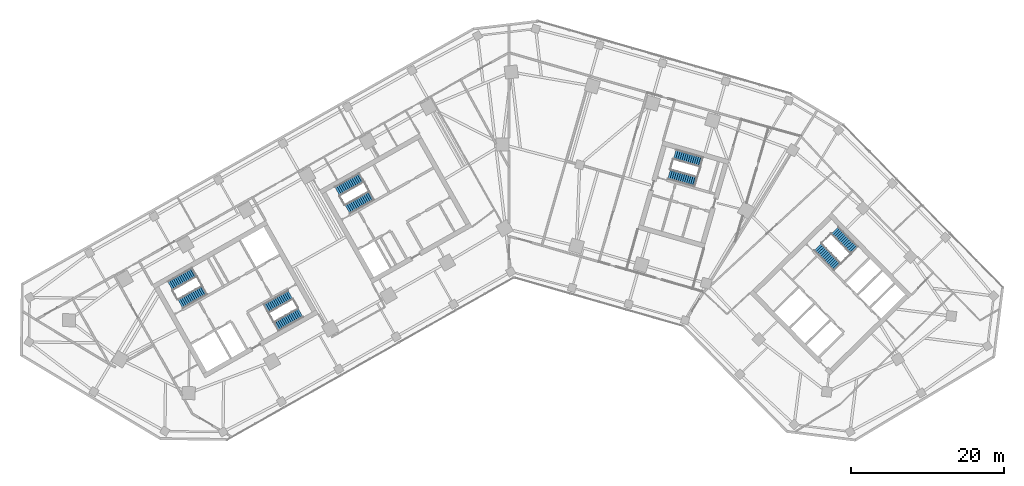
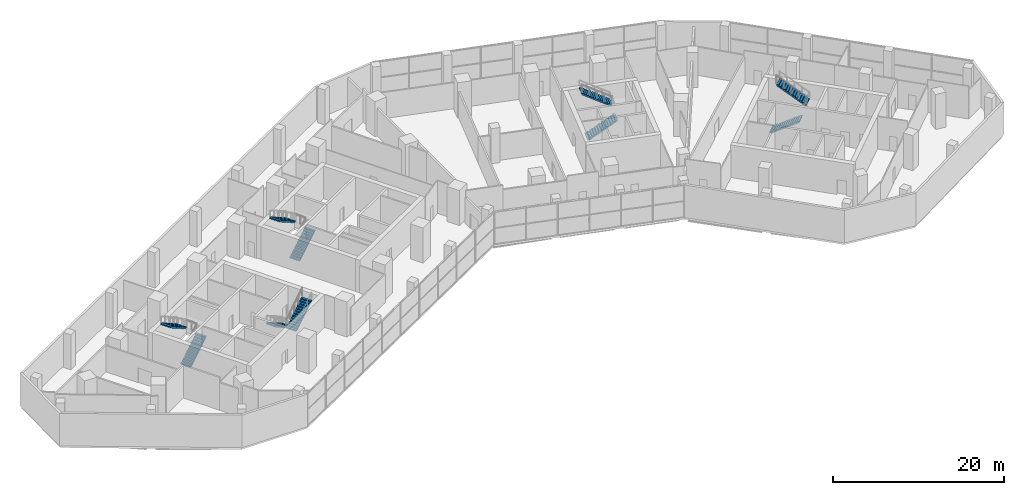
# One storey, part 16 of 18: 10 stair flights, 5 elements without a shape of their own.
"""IFC4 building model written with IfcOpenShell, lengths in metres."""

from ifc_helpers import new_model, si_unit, direction, frame, origin, place, context, subcontext, project, spatial, polyline, outline, extrude, material, type_object, element, aggregate, save


model = new_model("IFC4")

# Units and contexts
model_context = context("Model", 3, precision=1e-05, world=origin(), true_north=direction((0.0, 1.0)))
body_context = subcontext(model_context, "Body", "Model", "MODEL_VIEW")
ifc_project = project(units=[si_unit("LENGTHUNIT", "METRE"), si_unit("AREAUNIT", "SQUARE_METRE"), si_unit("VOLUMEUNIT", "CUBIC_METRE"), si_unit("PLANEANGLEUNIT", "RADIAN"), si_unit("MASSUNIT", "GRAM", prefix="KILO")], contexts=[model_context])

# Site, building, storey
site_placement = place(None, origin())
site = spatial("IfcSite", under=ifc_project, at=site_placement, CompositionType="ELEMENT")
building_placement = place(site_placement, origin())
building = spatial("IfcBuilding", under=site, at=building_placement, Name="Binnacle Exchange Tower", CompositionType="ELEMENT")
storey_placement = place(building_placement, frame((0.0, 0.0, 11.5)))
storey = spatial("IfcBuildingStorey", under=building, at=storey_placement, Name="L02", CompositionType="ELEMENT", Elevation=11.5)

# Stair, stair flights
ifc_material = material(Name="Concrete C35/45", Category="concrete")
stair_type = type_object("IfcStairType", Name="STAIR 28 RISERS 179", PredefinedType="HALF_TURN_STAIR", material=ifc_material)
stair_1_placement = place(storey_placement, origin())
stair_1 = element("IfcStair", 1, at=stair_1_placement, inside=storey, type_object=stair_type, Name="L02 Escape stair A1", PredefinedType="HALF_TURN_STAIR")
stair_flight_type = type_object("IfcStairFlightType", Name="STAIR FLIGHT 179X280", PredefinedType="STRAIGHT", material=ifc_material)
stair_flight_1_placement = place(storey_placement, frame((-42.9541015625, 39.17333984375, 0.0), z_axis=(0.0, 0.0, 1.0), x_axis=(0.870355584213, 0.492423757581, 0.0)))
stair_flight_1 = element("IfcStairFlight", 2, at=stair_flight_1_placement, type_object=stair_flight_type, Name="STA1 flight 1", NumberOfRisers=14, NumberOfTreads=13, PredefinedType="STRAIGHT", RiserHeight=0.178571429, TreadLength=0.28, context=body_context, shape_type="SweptSolid", body=[
    extrude(outline(polyline([(0.0, 0.0), (0.0, 0.178466796875), (0.280029296875, 0.178466796875), (0.280029296875, 0.357177734375), (0.56005859375, 0.357177734375), (0.56005859375, 0.53564453125), (0.840087890625, 0.53564453125), (0.840087890625, 0.71435546875), (1.1201171875, 0.71435546875), (1.1201171875, 0.892822265625), (1.39990234375, 0.892822265625), (1.39990234375, 1.071533203125), (1.679931640625, 1.071533203125), (1.679931640625, 1.25), (1.9599609375, 1.25), (1.9599609375, 1.428466796875), (2.239990234375, 1.428466796875), (2.239990234375, 1.607177734375), (2.52001953125, 1.607177734375), (2.52001953125, 1.78564453125), (2.800048828125, 1.78564453125), (2.800048828125, 1.96435546875), (3.080078125, 1.96435546875), (3.080078125, 2.142822265625), (3.360107421875, 2.142822265625), (3.360107421875, 2.321533203125), (3.639892578125, 2.321533203125), (3.639892578125, 2.5), (3.639892578125, 2.1435546875), (0.27880859375, 0.0), (0.0, 0.0)])), frame((0.0, 0.675048828125, 0.0), z_axis=(0.0, -1.0, 0.0), x_axis=(1.0, 0.0, 0.0)), (0.0, 0.0, 1.0), 1.35009765625),
])
stair_flight_2_placement = place(storey_placement, frame((-41.115478515625, 43.315673828125, 2.5), z_axis=(0.0, 0.0, 1.0), x_axis=(-0.870355584213, -0.492423757581, 0.0)))
stair_flight_2 = element("IfcStairFlight", 3, at=stair_flight_2_placement, type_object=stair_flight_type, Name="STA1 flight 2", NumberOfRisers=14, NumberOfTreads=13, PredefinedType="STRAIGHT", RiserHeight=0.178571429, TreadLength=0.28, context=body_context, shape_type="SweptSolid", body=[
    extrude(outline(polyline([(0.0, 0.0), (0.0, 0.178466796875), (0.280029296875, 0.178466796875), (0.280029296875, 0.357177734375), (0.56005859375, 0.357177734375), (0.56005859375, 0.53564453125), (0.840087890625, 0.53564453125), (0.840087890625, 0.71435546875), (1.1201171875, 0.71435546875), (1.1201171875, 0.892822265625), (1.39990234375, 0.892822265625), (1.39990234375, 1.071533203125), (1.679931640625, 1.071533203125), (1.679931640625, 1.25), (1.9599609375, 1.25), (1.9599609375, 1.428466796875), (2.239990234375, 1.428466796875), (2.239990234375, 1.607177734375), (2.52001953125, 1.607177734375), (2.52001953125, 1.78564453125), (2.800048828125, 1.78564453125), (2.800048828125, 1.96435546875), (3.080078125, 1.96435546875), (3.080078125, 2.142822265625), (3.360107421875, 2.142822265625), (3.360107421875, 2.321533203125), (3.639892578125, 2.321533203125), (3.639892578125, 2.5), (3.639892578125, 2.1435546875), (0.27880859375, 0.0), (0.0, 0.0)])), frame((0.0, 0.675048828125, 0.0), z_axis=(0.0, -1.0, 0.0), x_axis=(1.0, 0.0, 0.0)), (0.0, 0.0, 1.0), 1.35009765625),
])
aggregate(stair_1, [stair_flight_1, stair_flight_2])

stair_2_placement = place(storey_placement, origin())
stair_2 = element("IfcStair", 4, at=stair_2_placement, inside=storey, type_object=stair_type, Name="L02 Escape stair A2", PredefinedType="HALF_TURN_STAIR")
stair_flight_3_placement = place(storey_placement, frame((-28.5732421875, 40.3583984375, 0.0), z_axis=(0.0, 0.0, 1.0), x_axis=(-0.870355584213, -0.492423757581, 0.0)))
stair_flight_3 = element("IfcStairFlight", 5, at=stair_flight_3_placement, type_object=stair_flight_type, Name="STA2 flight 1", NumberOfRisers=14, NumberOfTreads=13, PredefinedType="STRAIGHT", RiserHeight=0.178571429, TreadLength=0.28, context=body_context, shape_type="SweptSolid", body=[
    extrude(outline(polyline([(0.0, 0.0), (0.0, 0.178466796875), (0.280029296875, 0.178466796875), (0.280029296875, 0.357177734375), (0.56005859375, 0.357177734375), (0.56005859375, 0.53564453125), (0.840087890625, 0.53564453125), (0.840087890625, 0.71435546875), (1.1201171875, 0.71435546875), (1.1201171875, 0.892822265625), (1.39990234375, 0.892822265625), (1.39990234375, 1.071533203125), (1.679931640625, 1.071533203125), (1.679931640625, 1.25), (1.9599609375, 1.25), (1.9599609375, 1.428466796875), (2.239990234375, 1.428466796875), (2.239990234375, 1.607177734375), (2.52001953125, 1.607177734375), (2.52001953125, 1.78564453125), (2.800048828125, 1.78564453125), (2.800048828125, 1.96435546875), (3.080078125, 1.96435546875), (3.080078125, 2.142822265625), (3.360107421875, 2.142822265625), (3.360107421875, 2.321533203125), (3.639892578125, 2.321533203125), (3.639892578125, 2.5), (3.639892578125, 2.1435546875), (0.27880859375, 0.0), (0.0, 0.0)])), frame((0.0, 0.675048828125, 0.0), z_axis=(0.0, -1.0, 0.0), x_axis=(1.0, 0.0, 0.0)), (0.0, 0.0, 1.0), 1.35009765625),
])
stair_flight_4_placement = place(storey_placement, frame((-30.411865234375, 36.216064453125, 2.5), z_axis=(0.0, 0.0, 1.0), x_axis=(0.870355584213, 0.492423757581, 0.0)))
stair_flight_4 = element("IfcStairFlight", 6, at=stair_flight_4_placement, type_object=stair_flight_type, Name="STA2 flight 2", NumberOfRisers=14, NumberOfTreads=13, PredefinedType="STRAIGHT", RiserHeight=0.178571429, TreadLength=0.28, context=body_context, shape_type="SweptSolid", body=[
    extrude(outline(polyline([(0.0, 0.0), (0.0, 0.178466796875), (0.280029296875, 0.178466796875), (0.280029296875, 0.357177734375), (0.56005859375, 0.357177734375), (0.56005859375, 0.53564453125), (0.840087890625, 0.53564453125), (0.840087890625, 0.71435546875), (1.1201171875, 0.71435546875), (1.1201171875, 0.892822265625), (1.39990234375, 0.892822265625), (1.39990234375, 1.071533203125), (1.679931640625, 1.071533203125), (1.679931640625, 1.25), (1.9599609375, 1.25), (1.9599609375, 1.428466796875), (2.239990234375, 1.428466796875), (2.239990234375, 1.607177734375), (2.52001953125, 1.607177734375), (2.52001953125, 1.78564453125), (2.800048828125, 1.78564453125), (2.800048828125, 1.96435546875), (3.080078125, 1.96435546875), (3.080078125, 2.142822265625), (3.360107421875, 2.142822265625), (3.360107421875, 2.321533203125), (3.639892578125, 2.321533203125), (3.639892578125, 2.5), (3.639892578125, 2.1435546875), (0.27880859375, 0.0), (0.0, 0.0)])), frame((0.0, 0.675048828125, 0.0), z_axis=(0.0, -1.0, 0.0), x_axis=(1.0, 0.0, 0.0)), (0.0, 0.0, 1.0), 1.35009765625),
])
aggregate(stair_2, [stair_flight_3, stair_flight_4])

stair_3_placement = place(storey_placement, origin())
stair_3 = element("IfcStair", 7, at=stair_3_placement, inside=storey, type_object=stair_type, Name="L02 Escape stair B1", PredefinedType="HALF_TURN_STAIR")
stair_flight_5_placement = place(storey_placement, frame((40.376708984375, 46.608642578125, 0.0), z_axis=(0.0, 0.0, 1.0), x_axis=(0.70090935144, -0.713250363522, 0.0)))
stair_flight_5 = element("IfcStairFlight", 8, at=stair_flight_5_placement, type_object=stair_flight_type, Name="STB1 flight 1", NumberOfRisers=14, NumberOfTreads=13, PredefinedType="STRAIGHT", RiserHeight=0.178571429, TreadLength=0.28, context=body_context, shape_type="SweptSolid", body=[
    extrude(outline(polyline([(0.0, 0.0), (0.0, 0.178466796875), (0.280029296875, 0.178466796875), (0.280029296875, 0.357177734375), (0.56005859375, 0.357177734375), (0.56005859375, 0.53564453125), (0.840087890625, 0.53564453125), (0.840087890625, 0.71435546875), (1.1201171875, 0.71435546875), (1.1201171875, 0.892822265625), (1.39990234375, 0.892822265625), (1.39990234375, 1.071533203125), (1.679931640625, 1.071533203125), (1.679931640625, 1.25), (1.9599609375, 1.25), (1.9599609375, 1.428466796875), (2.239990234375, 1.428466796875), (2.239990234375, 1.607177734375), (2.52001953125, 1.607177734375), (2.52001953125, 1.78564453125), (2.800048828125, 1.78564453125), (2.800048828125, 1.96435546875), (3.080078125, 1.96435546875), (3.080078125, 2.142822265625), (3.360107421875, 2.142822265625), (3.360107421875, 2.321533203125), (3.639892578125, 2.321533203125), (3.639892578125, 2.5), (3.639892578125, 2.1435546875), (0.27880859375, 0.0), (0.0, 0.0)])), frame((0.0, 0.675048828125, 0.0), z_axis=(0.0, -1.0, 0.0), x_axis=(1.0, 0.0, 0.0)), (0.0, 0.0, 1.0), 1.35009765625),
])
stair_flight_6_placement = place(storey_placement, frame((45.13916015625, 46.185302734375, 2.5), z_axis=(0.0, 0.0, 1.0), x_axis=(-0.70090935144, 0.713250363522, 0.0)))
stair_flight_6 = element("IfcStairFlight", 9, at=stair_flight_6_placement, type_object=stair_flight_type, Name="STB1 flight 2", NumberOfRisers=14, NumberOfTreads=13, PredefinedType="STRAIGHT", RiserHeight=0.178571429, TreadLength=0.28, context=body_context, shape_type="SweptSolid", body=[
    extrude(outline(polyline([(0.0, 0.0), (0.0, 0.178466796875), (0.280029296875, 0.178466796875), (0.280029296875, 0.357177734375), (0.56005859375, 0.357177734375), (0.56005859375, 0.53564453125), (0.840087890625, 0.53564453125), (0.840087890625, 0.71435546875), (1.1201171875, 0.71435546875), (1.1201171875, 0.892822265625), (1.39990234375, 0.892822265625), (1.39990234375, 1.071533203125), (1.679931640625, 1.071533203125), (1.679931640625, 1.25), (1.9599609375, 1.25), (1.9599609375, 1.428466796875), (2.239990234375, 1.428466796875), (2.239990234375, 1.607177734375), (2.52001953125, 1.607177734375), (2.52001953125, 1.78564453125), (2.800048828125, 1.78564453125), (2.800048828125, 1.96435546875), (3.080078125, 1.96435546875), (3.080078125, 2.142822265625), (3.360107421875, 2.142822265625), (3.360107421875, 2.321533203125), (3.639892578125, 2.321533203125), (3.639892578125, 2.5), (3.639892578125, 2.1435546875), (0.27880859375, 0.0), (0.0, 0.0)])), frame((0.0, 0.675048828125, 0.0), z_axis=(0.0, -1.0, 0.0), x_axis=(1.0, 0.0, 0.0)), (0.0, 0.0, 1.0), 1.35009765625),
])
aggregate(stair_3, [stair_flight_5, stair_flight_6])

stair_4_placement = place(storey_placement, origin())
stair_4 = element("IfcStair", 10, at=stair_4_placement, inside=storey, type_object=stair_type, Name="L02 Escape stair C1", PredefinedType="HALF_TURN_STAIR")
stair_flight_7_placement = place(storey_placement, frame((-21.115966796875, 51.528564453125, 0.0), z_axis=(0.0, 0.0, 1.0), x_axis=(0.870355584213, 0.492423757581, 0.0)))
stair_flight_7 = element("IfcStairFlight", 11, at=stair_flight_7_placement, type_object=stair_flight_type, Name="STC1 flight 1", NumberOfRisers=14, NumberOfTreads=13, PredefinedType="STRAIGHT", RiserHeight=0.178571429, TreadLength=0.28, context=body_context, shape_type="SweptSolid", body=[
    extrude(outline(polyline([(0.0, 0.0), (0.0, 0.178466796875), (0.280029296875, 0.178466796875), (0.280029296875, 0.357177734375), (0.56005859375, 0.357177734375), (0.56005859375, 0.53564453125), (0.840087890625, 0.53564453125), (0.840087890625, 0.71435546875), (1.1201171875, 0.71435546875), (1.1201171875, 0.892822265625), (1.39990234375, 0.892822265625), (1.39990234375, 1.071533203125), (1.679931640625, 1.071533203125), (1.679931640625, 1.25), (1.9599609375, 1.25), (1.9599609375, 1.428466796875), (2.239990234375, 1.428466796875), (2.239990234375, 1.607177734375), (2.52001953125, 1.607177734375), (2.52001953125, 1.78564453125), (2.800048828125, 1.78564453125), (2.800048828125, 1.96435546875), (3.080078125, 1.96435546875), (3.080078125, 2.142822265625), (3.360107421875, 2.142822265625), (3.360107421875, 2.321533203125), (3.639892578125, 2.321533203125), (3.639892578125, 2.5), (3.639892578125, 2.1435546875), (0.27880859375, 0.0), (0.0, 0.0)])), frame((0.0, 0.675048828125, 0.0), z_axis=(0.0, -1.0, 0.0), x_axis=(1.0, 0.0, 0.0)), (0.0, 0.0, 1.0), 1.35009765625),
])
stair_flight_8_placement = place(storey_placement, frame((-19.27734375, 55.671142578125, 2.5), z_axis=(0.0, 0.0, 1.0), x_axis=(-0.870355584213, -0.492423757581, 0.0)))
stair_flight_8 = element("IfcStairFlight", 12, at=stair_flight_8_placement, type_object=stair_flight_type, Name="STC1 flight 2", NumberOfRisers=14, NumberOfTreads=13, PredefinedType="STRAIGHT", RiserHeight=0.178571429, TreadLength=0.28, context=body_context, shape_type="SweptSolid", body=[
    extrude(outline(polyline([(0.0, 0.0), (0.0, 0.178466796875), (0.280029296875, 0.178466796875), (0.280029296875, 0.357177734375), (0.56005859375, 0.357177734375), (0.56005859375, 0.53564453125), (0.840087890625, 0.53564453125), (0.840087890625, 0.71435546875), (1.1201171875, 0.71435546875), (1.1201171875, 0.892822265625), (1.39990234375, 0.892822265625), (1.39990234375, 1.071533203125), (1.679931640625, 1.071533203125), (1.679931640625, 1.25), (1.9599609375, 1.25), (1.9599609375, 1.428466796875), (2.239990234375, 1.428466796875), (2.239990234375, 1.607177734375), (2.52001953125, 1.607177734375), (2.52001953125, 1.78564453125), (2.800048828125, 1.78564453125), (2.800048828125, 1.96435546875), (3.080078125, 1.96435546875), (3.080078125, 2.142822265625), (3.360107421875, 2.142822265625), (3.360107421875, 2.321533203125), (3.639892578125, 2.321533203125), (3.639892578125, 2.5), (3.639892578125, 2.1435546875), (0.27880859375, 0.0), (0.0, 0.0)])), frame((0.0, 0.675048828125, 0.0), z_axis=(0.0, -1.0, 0.0), x_axis=(1.0, 0.0, 0.0)), (0.0, 0.0, 1.0), 1.35009765625),
])
aggregate(stair_4, [stair_flight_7, stair_flight_8])

stair_5_placement = place(storey_placement, origin())
stair_5 = element("IfcStair", 13, at=stair_5_placement, inside=storey, type_object=stair_type, Name="L02 Escape stair D1", PredefinedType="HALF_TURN_STAIR")
stair_flight_9_placement = place(storey_placement, frame((20.914306640625, 56.109619140625, 0.0), z_axis=(0.0, 0.0, 1.0), x_axis=(0.961261811397, -0.275636953165, 0.0)))
stair_flight_9 = element("IfcStairFlight", 14, at=stair_flight_9_placement, type_object=stair_flight_type, Name="STD1 flight 1", NumberOfRisers=14, NumberOfTreads=13, PredefinedType="STRAIGHT", RiserHeight=0.178571429, TreadLength=0.28, context=body_context, shape_type="SweptSolid", body=[
    extrude(outline(polyline([(0.0, 0.0), (0.0, 0.178466796875), (0.280029296875, 0.178466796875), (0.280029296875, 0.357177734375), (0.56005859375, 0.357177734375), (0.56005859375, 0.53564453125), (0.840087890625, 0.53564453125), (0.840087890625, 0.71435546875), (1.1201171875, 0.71435546875), (1.1201171875, 0.892822265625), (1.39990234375, 0.892822265625), (1.39990234375, 1.071533203125), (1.679931640625, 1.071533203125), (1.679931640625, 1.25), (1.9599609375, 1.25), (1.9599609375, 1.428466796875), (2.239990234375, 1.428466796875), (2.239990234375, 1.607177734375), (2.52001953125, 1.607177734375), (2.52001953125, 1.78564453125), (2.800048828125, 1.78564453125), (2.800048828125, 1.96435546875), (3.080078125, 1.96435546875), (3.080078125, 2.142822265625), (3.360107421875, 2.142822265625), (3.360107421875, 2.321533203125), (3.639892578125, 2.321533203125), (3.639892578125, 2.5), (3.639892578125, 2.1435546875), (0.27880859375, 0.0), (0.0, 0.0)])), frame((0.0, 0.675048828125, 0.0), z_axis=(0.0, -1.0, 0.0), x_axis=(1.0, 0.0, 0.0)), (0.0, 0.0, 1.0), 1.35009765625),
])
stair_flight_10_placement = place(storey_placement, frame((25.157470703125, 57.70166015625, 2.5), z_axis=(0.0, 0.0, 1.0), x_axis=(-0.961261811397, 0.275636953165, 0.0)))
stair_flight_10 = element("IfcStairFlight", 15, at=stair_flight_10_placement, type_object=stair_flight_type, Name="STD1 flight 2", NumberOfRisers=14, NumberOfTreads=13, PredefinedType="STRAIGHT", RiserHeight=0.178571429, TreadLength=0.28, context=body_context, shape_type="SweptSolid", body=[
    extrude(outline(polyline([(0.0, 0.0), (0.0, 0.178466796875), (0.280029296875, 0.178466796875), (0.280029296875, 0.357177734375), (0.56005859375, 0.357177734375), (0.56005859375, 0.53564453125), (0.840087890625, 0.53564453125), (0.840087890625, 0.71435546875), (1.1201171875, 0.71435546875), (1.1201171875, 0.892822265625), (1.39990234375, 0.892822265625), (1.39990234375, 1.071533203125), (1.679931640625, 1.071533203125), (1.679931640625, 1.25), (1.9599609375, 1.25), (1.9599609375, 1.428466796875), (2.239990234375, 1.428466796875), (2.239990234375, 1.607177734375), (2.52001953125, 1.607177734375), (2.52001953125, 1.78564453125), (2.800048828125, 1.78564453125), (2.800048828125, 1.96435546875), (3.080078125, 1.96435546875), (3.080078125, 2.142822265625), (3.360107421875, 2.142822265625), (3.360107421875, 2.321533203125), (3.639892578125, 2.321533203125), (3.639892578125, 2.5), (3.639892578125, 2.1435546875), (0.27880859375, 0.0), (0.0, 0.0)])), frame((0.0, 0.675048828125, 0.0), z_axis=(0.0, -1.0, 0.0), x_axis=(1.0, 0.0, 0.0)), (0.0, 0.0, 1.0), 1.35009765625),
])
aggregate(stair_5, [stair_flight_9, stair_flight_10])

save(model, "model.ifc")
